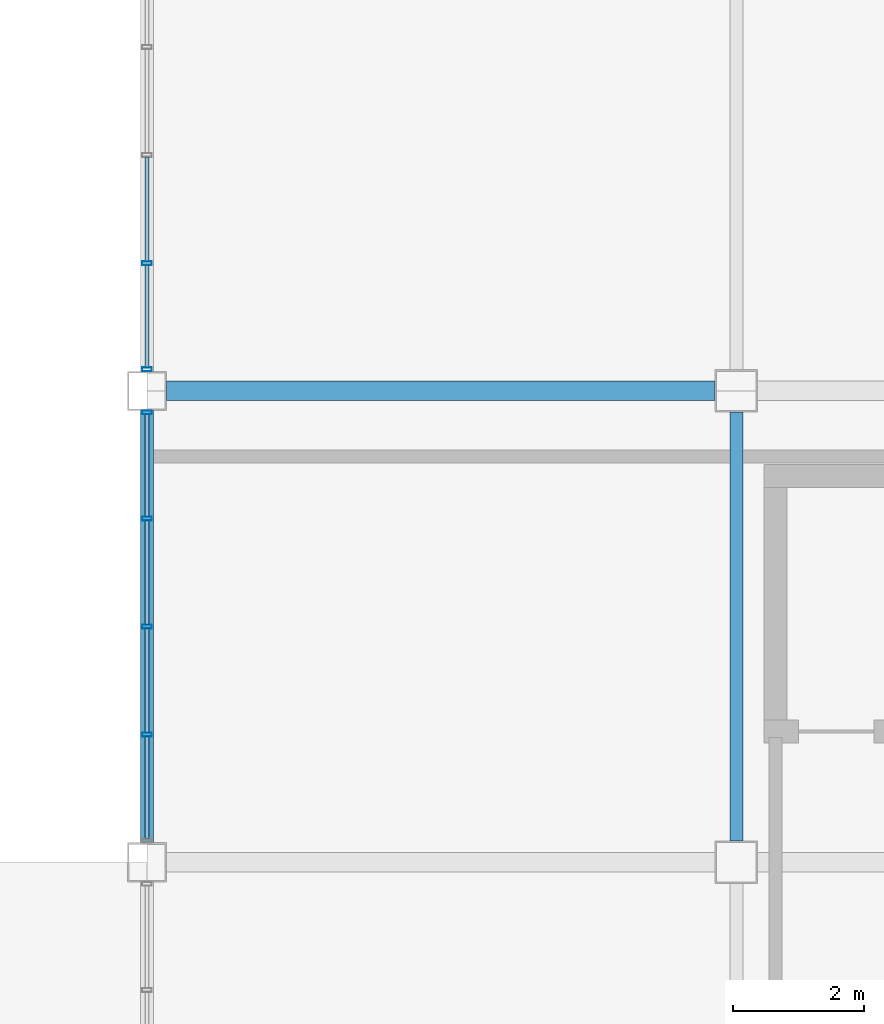
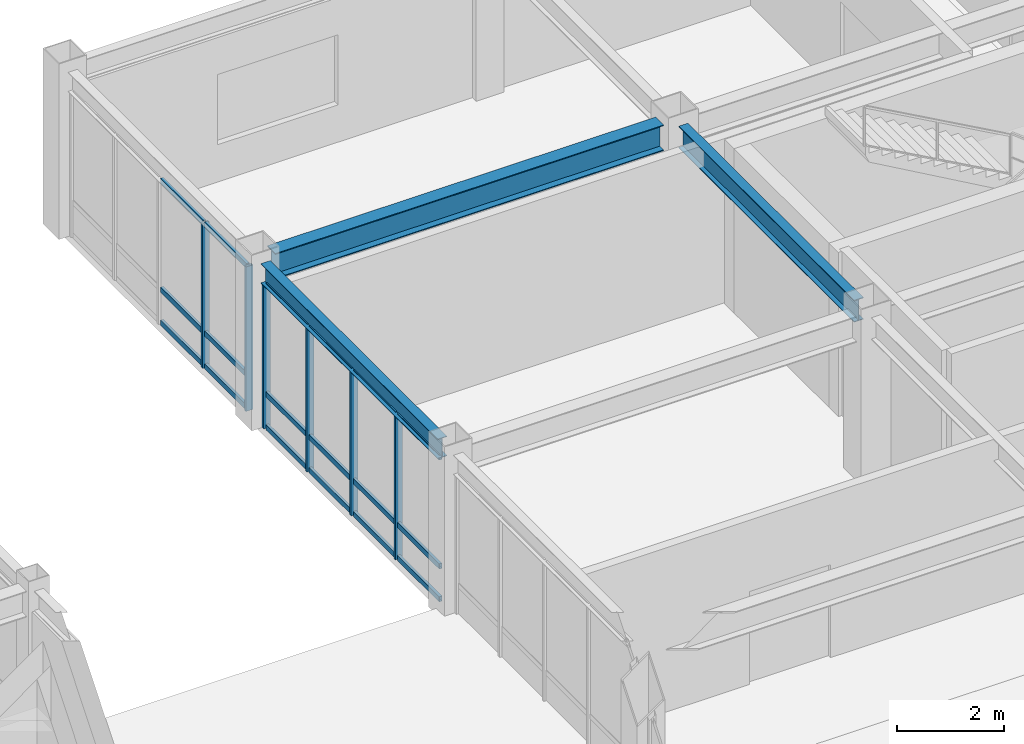
# One storey, part 78 of 113: 24 members, 3 beams, 2 elements without a shape of their own.
"""IFC4 building model written with IfcOpenShell, lengths in metres."""

from ifc_helpers import new_model, si_unit, direction, frame, origin, origin_2d, place, context, subcontext, project, spatial, hollow_rectangle, i_section, extrude, material, material_profile, profile_set, type_object, element, aggregate, save


model = new_model("IFC4")

# Units and contexts
model_context = context("Model", 3, precision=1e-05, world=origin(), true_north=direction((0.0, 1.0)))
body_context = subcontext(model_context, "Body", "Model", "MODEL_VIEW")
ifc_project = project(units=[si_unit("LENGTHUNIT", "METRE"), si_unit("AREAUNIT", "SQUARE_METRE"), si_unit("VOLUMEUNIT", "CUBIC_METRE"), si_unit("PLANEANGLEUNIT", "RADIAN"), si_unit("MASSUNIT", "GRAM", prefix="KILO")], contexts=[model_context])

# Site, building, storey
site_placement = place(None, origin())
site = spatial("IfcSite", under=ifc_project, at=site_placement, CompositionType="ELEMENT")
building_placement = place(site_placement, origin())
building = spatial("IfcBuilding", under=site, at=building_placement, Name="Kazanami Central Library", CompositionType="ELEMENT")
storey_placement = place(building_placement, frame((0.0, 0.0, 8.800048828125)))
storey = spatial("IfcBuildingStorey", under=building, at=storey_placement, Name="L03", CompositionType="ELEMENT", Elevation=8.800048828125)

# Beams
ifc_material_1 = material(Name="Steel SN490B (325 MPa)", Category="steel")
ifc_material_profile_1 = material_profile(ifc_material_1, i_section(OverallWidth=0.300048828125, OverallDepth=0.587890625, WebThickness=0.011962890625, FlangeThickness=0.02001953125, at=origin_2d()), Name="H-588x300x12x20")
ifc_profile_set_1 = profile_set([ifc_material_profile_1], Name="Steel SN490B (325 MPa)")
beam_type_1 = type_object("IfcBeamType", Name="BM-G-X2", PredefinedType="BEAM", material=ifc_profile_set_1)
beam_1_placement = place(storey_placement, frame((117.298095703125, 86.39990234375, 3.450927734375), z_axis=(1.0, 0.0, 0.0), x_axis=(0.0, 1.0, 0.0)))
element("IfcBeam", 1, at=beam_1_placement, inside=storey, type_object=beam_type_1, Name="Girder G-X2 L03 N/14-15", PredefinedType="BEAM", context=body_context, shape_type="SweptSolid", body=[
    extrude(i_section(OverallWidth=0.300048828125, OverallDepth=0.587890625, WebThickness=0.011962890625, FlangeThickness=0.02001953125, at=origin_2d()), origin(), (0.0, 0.0, 1.0), 8.37890625),
])
ifc_material_profile_2 = material_profile(ifc_material_1, i_section(OverallWidth=0.199951171875, OverallDepth=0.5, WebThickness=0.010009765625, FlangeThickness=0.01611328125, at=origin_2d()), Name="H-500x200x10x16")
ifc_profile_set_2 = profile_set([ifc_material_profile_2], Name="Steel SN490B (325 MPa)")
beam_type_2 = type_object("IfcBeamType", Name="BM-G-Y2", PredefinedType="BEAM", material=ifc_profile_set_2)
beam_2_placement = place(storey_placement, frame((126.0, 79.52294921875, 3.494873046875), z_axis=(0.0, 1.0, 0.0), x_axis=(-1.0, 0.0, 0.0)))
element("IfcBeam", 2, at=beam_2_placement, inside=storey, type_object=beam_type_2, Name="Girder G-Y2 L03 15/M-N", PredefinedType="BEAM", context=body_context, shape_type="SweptSolid", body=[
    extrude(i_section(OverallWidth=0.199951171875, OverallDepth=0.5, WebThickness=0.010009765625, FlangeThickness=0.01611328125, at=origin_2d()), origin(), (0.0, 0.0, 1.0), 6.553955078125),
])
ifc_material_profile_3 = material_profile(ifc_material_1, i_section(OverallWidth=0.199951171875, OverallDepth=0.449951171875, WebThickness=0.009033203125, FlangeThickness=0.013916015625, at=origin_2d()), Name="H-450x200x9x14")
ifc_profile_set_3 = profile_set([ifc_material_profile_3], Name="Steel SN490B (325 MPa)")
beam_type_3 = type_object("IfcBeamType", Name="BM-SP-2", PredefinedType="SPANDREL", material=ifc_profile_set_3)
beam_3_placement = place(storey_placement, frame((117.0, 79.498046875, 3.52001953125), z_axis=(0.0, 1.0, 0.0), x_axis=(-1.0, 0.0, 0.0)))
element("IfcBeam", 3, at=beam_3_placement, inside=storey, type_object=beam_type_3, Name="Girder SP-2 L03 14/M-N", PredefinedType="SPANDREL", context=body_context, shape_type="SweptSolid", body=[
    extrude(i_section(OverallWidth=0.199951171875, OverallDepth=0.449951171875, WebThickness=0.009033203125, FlangeThickness=0.013916015625, at=origin_2d()), origin(), (0.0, 0.0, 1.0), 6.60400390625),
])

# Curtain wall, members
ifc_material_2 = material(Name="Acid-Etched Low-E Laminated Glass", Category="glass")
curtain_wall_type = type_object("IfcCurtainWallType", Name="CW-6600x3295-M180", PredefinedType="USERDEFINED", material=ifc_material_2)
curtain_wall_1_placement = place(storey_placement, origin())
curtain_wall_1 = element("IfcCurtainWall", 4, at=curtain_wall_1_placement, inside=storey, type_object=curtain_wall_type, Name="Covered Link Bridge Curtain Wall CW-36 L03 W-14-11", ObjectType="UNITISED CURTAIN WALL", PredefinedType="USERDEFINED")
ifc_material_3 = material(Name="Anodised Aluminium A6063-T5", Category="aluminium")
ifc_material_profile_4 = material_profile(ifc_material_3, hollow_rectangle(XDim=0.06005859375, YDim=0.14990234375, WallThickness=0.00390625, at=origin_2d()), Name="ALU-MULL-60x150x4")
ifc_profile_set_4 = profile_set([ifc_material_profile_4], Name="Anodised Aluminium A6063-T5")
member_type_1 = type_object("IfcMemberType", Name="MEM-CW-M3", PredefinedType="MULLION", material=ifc_profile_set_4)
member_1_placement = place(storey_placement, frame((117.0, 81.14990234375, 0.0), z_axis=(0.0, 0.0, 1.0), x_axis=(0.0, 1.0, 0.0)))
member_1 = element("IfcMember", 5, at=member_1_placement, type_object=member_type_1, Name="CW-36 mullion 2", PredefinedType="MULLION", context=body_context, shape_type="SweptSolid", body=[
    extrude(hollow_rectangle(XDim=0.06005859375, YDim=0.14990234375, WallThickness=0.00390625, at=origin_2d()), origin(), (0.0, 0.0, 1.0), 3.294921875),
])
member_2_placement = place(storey_placement, frame((117.0, 82.800048828125, 0.0), z_axis=(0.0, 0.0, 1.0), x_axis=(0.0, 1.0, 0.0)))
member_2 = element("IfcMember", 6, at=member_2_placement, type_object=member_type_1, Name="CW-36 mullion 3", PredefinedType="MULLION", context=body_context, shape_type="SweptSolid", body=[
    extrude(hollow_rectangle(XDim=0.06005859375, YDim=0.14990234375, WallThickness=0.00390625, at=origin_2d()), origin(), (0.0, 0.0, 1.0), 3.294921875),
])
member_3_placement = place(storey_placement, frame((117.0, 84.449951171875, 0.0), z_axis=(0.0, 0.0, 1.0), x_axis=(0.0, 1.0, 0.0)))
member_3 = element("IfcMember", 7, at=member_3_placement, type_object=member_type_1, Name="CW-36 mullion 4", PredefinedType="MULLION", context=body_context, shape_type="SweptSolid", body=[
    extrude(hollow_rectangle(XDim=0.06005859375, YDim=0.14990234375, WallThickness=0.00390625, at=origin_2d()), origin(), (0.0, 0.0, 1.0), 3.294921875),
])
member_4_placement = place(storey_placement, frame((117.0, 86.070068359375, 0.0), z_axis=(0.0, 0.0, 1.0), x_axis=(0.0, 1.0, 0.0)))
member_4 = element("IfcMember", 8, at=member_4_placement, type_object=member_type_1, Name="CW-36 mullion 5", PredefinedType="MULLION", context=body_context, shape_type="SweptSolid", body=[
    extrude(hollow_rectangle(XDim=0.06005859375, YDim=0.14990234375, WallThickness=0.00390625, at=origin_2d()), origin(), (0.0, 0.0, 1.0), 3.294921875),
])

curtain_wall_2_placement = place(storey_placement, origin())
curtain_wall_2 = element("IfcCurtainWall", 9, at=curtain_wall_2_placement, inside=storey, type_object=curtain_wall_type, Name="Covered Link Bridge Curtain Wall CW-36 L03 W-14-12", ObjectType="UNITISED CURTAIN WALL", PredefinedType="USERDEFINED")
member_5_placement = place(storey_placement, frame((117.0, 86.72998046875, 0.0), z_axis=(0.0, 0.0, 1.0), x_axis=(0.0, 1.0, 0.0)))
member_5 = element("IfcMember", 10, at=member_5_placement, type_object=member_type_1, Name="CW-36 mullion 1", PredefinedType="MULLION", context=body_context, shape_type="SweptSolid", body=[
    extrude(hollow_rectangle(XDim=0.06005859375, YDim=0.14990234375, WallThickness=0.00390625, at=origin_2d()), origin(), (0.0, 0.0, 1.0), 3.294921875),
])
member_6_placement = place(storey_placement, frame((117.0, 88.35009765625, 0.0), z_axis=(0.0, 0.0, 1.0), x_axis=(0.0, 1.0, 0.0)))
member_6 = element("IfcMember", 11, at=member_6_placement, type_object=member_type_1, Name="CW-36 mullion 2", PredefinedType="MULLION", context=body_context, shape_type="SweptSolid", body=[
    extrude(hollow_rectangle(XDim=0.06005859375, YDim=0.14990234375, WallThickness=0.00390625, at=origin_2d()), origin(), (0.0, 0.0, 1.0), 3.294921875),
])

# Member
ifc_material_profile_5 = material_profile(ifc_material_3, hollow_rectangle(XDim=0.06005859375, YDim=0.1201171875, WallThickness=0.00341796875, at=origin_2d()), Name="ALU-TRAN-60x120x3.5")
ifc_profile_set_5 = profile_set([ifc_material_profile_5], Name="Anodised Aluminium A6063-T5")
member_type_2 = type_object("IfcMemberType", Name="MEM-CW-T3", PredefinedType="USERDEFINED", material=ifc_profile_set_5)
member_7_placement = place(storey_placement, frame((117.0, 79.56005859375, 0.030029296875), z_axis=(0.0, 1.0, 0.0), x_axis=(-1.0, 0.0, 0.0)))
member_7 = element("IfcMember", 12, at=member_7_placement, type_object=member_type_2, Name="CW-36 transom 1.1", ObjectType="TRANSOM", PredefinedType="USERDEFINED", context=body_context, shape_type="SweptSolid", body=[
    extrude(hollow_rectangle(XDim=0.06005859375, YDim=0.1201171875, WallThickness=0.00341796875, at=origin_2d()), origin(), (0.0, 0.0, 1.0), 1.56005859375),
])

member_8_placement = place(storey_placement, frame((117.0, 79.56005859375, 0.780029296875), z_axis=(0.0, 1.0, 0.0), x_axis=(-1.0, 0.0, 0.0)))
member_8 = element("IfcMember", 13, at=member_8_placement, type_object=member_type_2, Name="CW-36 transom 1.2", ObjectType="TRANSOM", PredefinedType="USERDEFINED", context=body_context, shape_type="SweptSolid", body=[
    extrude(hollow_rectangle(XDim=0.06005859375, YDim=0.1201171875, WallThickness=0.00341796875, at=origin_2d()), origin(), (0.0, 0.0, 1.0), 1.56005859375),
])

member_9_placement = place(storey_placement, frame((117.0, 79.56005859375, 3.264892578125), z_axis=(0.0, 1.0, 0.0), x_axis=(-1.0, 0.0, 0.0)))
member_9 = element("IfcMember", 14, at=member_9_placement, type_object=member_type_2, Name="CW-36 transom 1.3", ObjectType="TRANSOM", PredefinedType="USERDEFINED", context=body_context, shape_type="SweptSolid", body=[
    extrude(hollow_rectangle(XDim=0.06005859375, YDim=0.1201171875, WallThickness=0.00341796875, at=origin_2d()), origin(), (0.0, 0.0, 1.0), 1.56005859375),
])

member_10_placement = place(storey_placement, frame((117.0, 81.179931640625, 0.030029296875), z_axis=(0.0, 1.0, 0.0), x_axis=(-1.0, 0.0, 0.0)))
member_10 = element("IfcMember", 15, at=member_10_placement, type_object=member_type_2, Name="CW-36 transom 2.1", ObjectType="TRANSOM", PredefinedType="USERDEFINED", context=body_context, shape_type="SweptSolid", body=[
    extrude(hollow_rectangle(XDim=0.06005859375, YDim=0.1201171875, WallThickness=0.00341796875, at=origin_2d()), origin(), (0.0, 0.0, 1.0), 1.590087890625),
])

member_11_placement = place(storey_placement, frame((117.0, 81.179931640625, 0.780029296875), z_axis=(0.0, 1.0, 0.0), x_axis=(-1.0, 0.0, 0.0)))
member_11 = element("IfcMember", 16, at=member_11_placement, type_object=member_type_2, Name="CW-36 transom 2.2", ObjectType="TRANSOM", PredefinedType="USERDEFINED", context=body_context, shape_type="SweptSolid", body=[
    extrude(hollow_rectangle(XDim=0.06005859375, YDim=0.1201171875, WallThickness=0.00341796875, at=origin_2d()), origin(), (0.0, 0.0, 1.0), 1.590087890625),
])

member_12_placement = place(storey_placement, frame((117.0, 81.179931640625, 3.264892578125), z_axis=(0.0, 1.0, 0.0), x_axis=(-1.0, 0.0, 0.0)))
member_12 = element("IfcMember", 17, at=member_12_placement, type_object=member_type_2, Name="CW-36 transom 2.3", ObjectType="TRANSOM", PredefinedType="USERDEFINED", context=body_context, shape_type="SweptSolid", body=[
    extrude(hollow_rectangle(XDim=0.06005859375, YDim=0.1201171875, WallThickness=0.00341796875, at=origin_2d()), origin(), (0.0, 0.0, 1.0), 1.590087890625),
])

member_13_placement = place(storey_placement, frame((117.0, 82.830078125, 0.030029296875), z_axis=(0.0, 1.0, 0.0), x_axis=(-1.0, 0.0, 0.0)))
member_13 = element("IfcMember", 18, at=member_13_placement, type_object=member_type_2, Name="CW-36 transom 3.1", ObjectType="TRANSOM", PredefinedType="USERDEFINED", context=body_context, shape_type="SweptSolid", body=[
    extrude(hollow_rectangle(XDim=0.06005859375, YDim=0.1201171875, WallThickness=0.00341796875, at=origin_2d()), origin(), (0.0, 0.0, 1.0), 1.58984375),
])

member_14_placement = place(storey_placement, frame((117.0, 82.830078125, 0.780029296875), z_axis=(0.0, 1.0, 0.0), x_axis=(-1.0, 0.0, 0.0)))
member_14 = element("IfcMember", 19, at=member_14_placement, type_object=member_type_2, Name="CW-36 transom 3.2", ObjectType="TRANSOM", PredefinedType="USERDEFINED", context=body_context, shape_type="SweptSolid", body=[
    extrude(hollow_rectangle(XDim=0.06005859375, YDim=0.1201171875, WallThickness=0.00341796875, at=origin_2d()), origin(), (0.0, 0.0, 1.0), 1.58984375),
])

member_15_placement = place(storey_placement, frame((117.0, 82.830078125, 3.264892578125), z_axis=(0.0, 1.0, 0.0), x_axis=(-1.0, 0.0, 0.0)))
member_15 = element("IfcMember", 20, at=member_15_placement, type_object=member_type_2, Name="CW-36 transom 3.3", ObjectType="TRANSOM", PredefinedType="USERDEFINED", context=body_context, shape_type="SweptSolid", body=[
    extrude(hollow_rectangle(XDim=0.06005859375, YDim=0.1201171875, WallThickness=0.00341796875, at=origin_2d()), origin(), (0.0, 0.0, 1.0), 1.58984375),
])

member_16_placement = place(storey_placement, frame((117.0, 84.47998046875, 0.030029296875), z_axis=(0.0, 1.0, 0.0), x_axis=(-1.0, 0.0, 0.0)))
member_16 = element("IfcMember", 21, at=member_16_placement, type_object=member_type_2, Name="CW-36 transom 4.1", ObjectType="TRANSOM", PredefinedType="USERDEFINED", context=body_context, shape_type="SweptSolid", body=[
    extrude(hollow_rectangle(XDim=0.06005859375, YDim=0.1201171875, WallThickness=0.00341796875, at=origin_2d()), origin(), (0.0, 0.0, 1.0), 1.56005859375),
])

member_17_placement = place(storey_placement, frame((117.0, 84.47998046875, 0.780029296875), z_axis=(0.0, 1.0, 0.0), x_axis=(-1.0, 0.0, 0.0)))
member_17 = element("IfcMember", 22, at=member_17_placement, type_object=member_type_2, Name="CW-36 transom 4.2", ObjectType="TRANSOM", PredefinedType="USERDEFINED", context=body_context, shape_type="SweptSolid", body=[
    extrude(hollow_rectangle(XDim=0.06005859375, YDim=0.1201171875, WallThickness=0.00341796875, at=origin_2d()), origin(), (0.0, 0.0, 1.0), 1.56005859375),
])

member_18_placement = place(storey_placement, frame((117.0, 84.47998046875, 3.264892578125), z_axis=(0.0, 1.0, 0.0), x_axis=(-1.0, 0.0, 0.0)))
member_18 = element("IfcMember", 23, at=member_18_placement, type_object=member_type_2, Name="CW-36 transom 4.3", ObjectType="TRANSOM", PredefinedType="USERDEFINED", context=body_context, shape_type="SweptSolid", body=[
    extrude(hollow_rectangle(XDim=0.06005859375, YDim=0.1201171875, WallThickness=0.00341796875, at=origin_2d()), origin(), (0.0, 0.0, 1.0), 1.56005859375),
])

aggregate(curtain_wall_1, [member_1, member_2, member_3, member_4, member_7, member_8, member_9, member_10, member_11, member_12, member_13, member_14, member_15, member_16, member_17, member_18])

member_19_placement = place(storey_placement, frame((117.0, 86.760009765625, 0.030029296875), z_axis=(0.0, 1.0, 0.0), x_axis=(-1.0, 0.0, 0.0)))
member_19 = element("IfcMember", 24, at=member_19_placement, type_object=member_type_2, Name="CW-36 transom 1.1", ObjectType="TRANSOM", PredefinedType="USERDEFINED", context=body_context, shape_type="SweptSolid", body=[
    extrude(hollow_rectangle(XDim=0.06005859375, YDim=0.1201171875, WallThickness=0.00341796875, at=origin_2d()), origin(), (0.0, 0.0, 1.0), 1.56005859375),
])

member_20_placement = place(storey_placement, frame((117.0, 86.760009765625, 0.780029296875), z_axis=(0.0, 1.0, 0.0), x_axis=(-1.0, 0.0, 0.0)))
member_20 = element("IfcMember", 25, at=member_20_placement, type_object=member_type_2, Name="CW-36 transom 1.2", ObjectType="TRANSOM", PredefinedType="USERDEFINED", context=body_context, shape_type="SweptSolid", body=[
    extrude(hollow_rectangle(XDim=0.06005859375, YDim=0.1201171875, WallThickness=0.00341796875, at=origin_2d()), origin(), (0.0, 0.0, 1.0), 1.56005859375),
])

member_21_placement = place(storey_placement, frame((117.0, 86.760009765625, 3.264892578125), z_axis=(0.0, 1.0, 0.0), x_axis=(-1.0, 0.0, 0.0)))
member_21 = element("IfcMember", 26, at=member_21_placement, type_object=member_type_2, Name="CW-36 transom 1.3", ObjectType="TRANSOM", PredefinedType="USERDEFINED", context=body_context, shape_type="SweptSolid", body=[
    extrude(hollow_rectangle(XDim=0.06005859375, YDim=0.1201171875, WallThickness=0.00341796875, at=origin_2d()), origin(), (0.0, 0.0, 1.0), 1.56005859375),
])

member_22_placement = place(storey_placement, frame((117.0, 88.3798828125, 0.030029296875), z_axis=(0.0, 1.0, 0.0), x_axis=(-1.0, 0.0, 0.0)))
member_22 = element("IfcMember", 27, at=member_22_placement, type_object=member_type_2, Name="CW-36 transom 2.1", ObjectType="TRANSOM", PredefinedType="USERDEFINED", context=body_context, shape_type="SweptSolid", body=[
    extrude(hollow_rectangle(XDim=0.06005859375, YDim=0.1201171875, WallThickness=0.00341796875, at=origin_2d()), origin(), (0.0, 0.0, 1.0), 1.590087890625),
])

member_23_placement = place(storey_placement, frame((117.0, 88.3798828125, 0.780029296875), z_axis=(0.0, 1.0, 0.0), x_axis=(-1.0, 0.0, 0.0)))
member_23 = element("IfcMember", 28, at=member_23_placement, type_object=member_type_2, Name="CW-36 transom 2.2", ObjectType="TRANSOM", PredefinedType="USERDEFINED", context=body_context, shape_type="SweptSolid", body=[
    extrude(hollow_rectangle(XDim=0.06005859375, YDim=0.1201171875, WallThickness=0.00341796875, at=origin_2d()), origin(), (0.0, 0.0, 1.0), 1.590087890625),
])

member_24_placement = place(storey_placement, frame((117.0, 88.3798828125, 3.264892578125), z_axis=(0.0, 1.0, 0.0), x_axis=(-1.0, 0.0, 0.0)))
member_24 = element("IfcMember", 29, at=member_24_placement, type_object=member_type_2, Name="CW-36 transom 2.3", ObjectType="TRANSOM", PredefinedType="USERDEFINED", context=body_context, shape_type="SweptSolid", body=[
    extrude(hollow_rectangle(XDim=0.06005859375, YDim=0.1201171875, WallThickness=0.00341796875, at=origin_2d()), origin(), (0.0, 0.0, 1.0), 1.590087890625),
])

aggregate(curtain_wall_2, [member_5, member_6, member_19, member_20, member_21, member_22, member_23, member_24])

save(model, "model.ifc")
